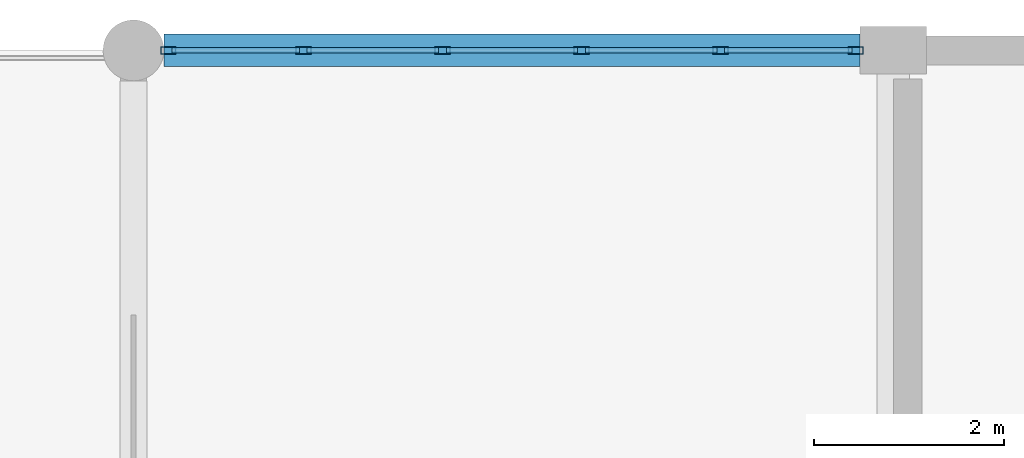
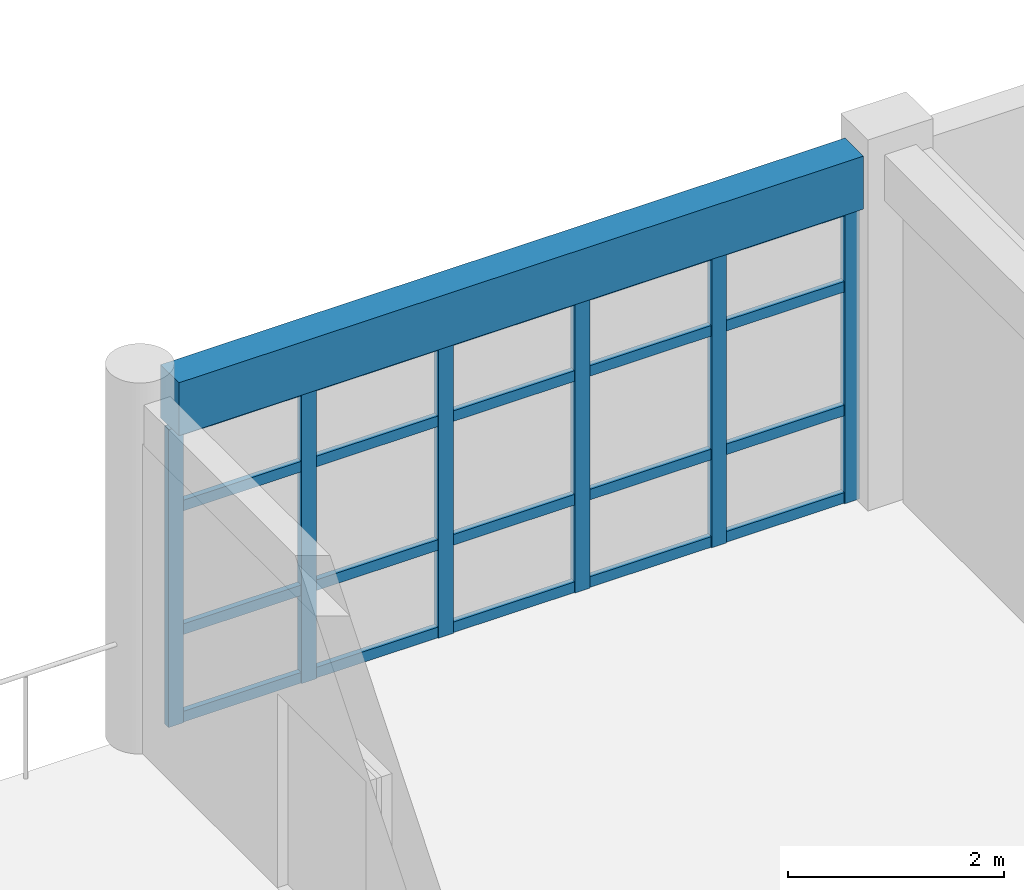
# One storey, part 9 of 53: 26 members, 1 beam, 1 element without a shape of its own.
"""IFC4 building model written with IfcOpenShell, lengths in metres."""

from ifc_helpers import new_model, si_unit, direction, frame, origin, origin_2d, place, context, subcontext, project, spatial, rectangle, hollow_rectangle, extrude, material, material_profile, profile_set, type_object, element, aggregate, save


model = new_model("IFC4")

# Units and contexts
model_context = context("Model", 3, precision=1e-05, world=origin(), true_north=direction((0.0, 1.0)))
body_context = subcontext(model_context, "Body", "Model", "MODEL_VIEW")
ifc_project = project(units=[si_unit("LENGTHUNIT", "METRE"), si_unit("AREAUNIT", "SQUARE_METRE"), si_unit("VOLUMEUNIT", "CUBIC_METRE"), si_unit("PLANEANGLEUNIT", "RADIAN"), si_unit("MASSUNIT", "GRAM", prefix="KILO")], contexts=[model_context])

# Site, building, storey
site_placement = place(None, origin())
site = spatial("IfcSite", under=ifc_project, at=site_placement, CompositionType="ELEMENT")
building_placement = place(site_placement, origin())
building = spatial("IfcBuilding", under=site, at=building_placement, Name="Kharva Crest Polytechnic", CompositionType="ELEMENT")
storey_placement = place(building_placement, frame((0.0, 0.0, 17.39990234375)))
storey = spatial("IfcBuildingStorey", under=building, at=storey_placement, Name="L04", CompositionType="ELEMENT", Elevation=17.39990234375)

# Curtain wall, members
ifc_material_1 = material(Name="Tempered insulated glass", Category="glass")
curtain_wall_type = type_object("IfcCurtainWallType", Name="CW-SYS-STUDIO", PredefinedType="USERDEFINED", material=ifc_material_1)
curtain_wall_placement = place(storey_placement, origin())
curtain_wall = element("IfcCurtainWall", 1, at=curtain_wall_placement, inside=storey, type_object=curtain_wall_type, Name="L04 Glazed Curtain Wall CW-181", ObjectType="CURTAIN WALL", PredefinedType="USERDEFINED")
ifc_material_2 = material(Name="Steel S355", Category="steel")
ifc_material_profile_1 = material_profile(ifc_material_2, hollow_rectangle(XDim=0.080078125, YDim=0.159912109375, WallThickness=0.0048828125, at=origin_2d()), Name="RHS 160X80X5.0")
ifc_profile_set_1 = profile_set([ifc_material_profile_1], Name="Steel S355")
member_type_1 = type_object("IfcMemberType", Name="CWM-RHS160X80", PredefinedType="MULLION", material=ifc_profile_set_1)
member_1_placement = place(storey_placement, frame((55.60498046875, 122.0, 0.0), z_axis=(0.0, 0.0, 1.0), x_axis=(0.0, -1.0, 0.0)))
member_1 = element("IfcMember", 2, at=member_1_placement, type_object=member_type_1, Name="CW-181 mullion 1", PredefinedType="MULLION", context=body_context, shape_type="SweptSolid", body=[
    extrude(hollow_rectangle(XDim=0.080078125, YDim=0.159912109375, WallThickness=0.0048828125, at=origin_2d()), origin(), (0.0, 0.0, 1.0), 3.3701171875),
])
member_2_placement = place(storey_placement, frame((54.180908203125, 122.0, 0.0), z_axis=(0.0, 0.0, 1.0), x_axis=(0.0, -1.0, 0.0)))
member_2 = element("IfcMember", 3, at=member_2_placement, type_object=member_type_1, Name="CW-181 mullion 2", PredefinedType="MULLION", context=body_context, shape_type="SweptSolid", body=[
    extrude(hollow_rectangle(XDim=0.080078125, YDim=0.159912109375, WallThickness=0.0048828125, at=origin_2d()), origin(), (0.0, 0.0, 1.0), 3.3701171875),
])
member_3_placement = place(storey_placement, frame((52.717041015625, 122.0, 0.0), z_axis=(0.0, 0.0, 1.0), x_axis=(0.0, -1.0, 0.0)))
member_3 = element("IfcMember", 4, at=member_3_placement, type_object=member_type_1, Name="CW-181 mullion 3", PredefinedType="MULLION", context=body_context, shape_type="SweptSolid", body=[
    extrude(hollow_rectangle(XDim=0.080078125, YDim=0.159912109375, WallThickness=0.0048828125, at=origin_2d()), origin(), (0.0, 0.0, 1.0), 3.3701171875),
])
member_4_placement = place(storey_placement, frame((51.2529296875, 122.0, 0.0), z_axis=(0.0, 0.0, 1.0), x_axis=(0.0, -1.0, 0.0)))
member_4 = element("IfcMember", 5, at=member_4_placement, type_object=member_type_1, Name="CW-181 mullion 4", PredefinedType="MULLION", context=body_context, shape_type="SweptSolid", body=[
    extrude(hollow_rectangle(XDim=0.080078125, YDim=0.159912109375, WallThickness=0.0048828125, at=origin_2d()), origin(), (0.0, 0.0, 1.0), 3.3701171875),
])
member_5_placement = place(storey_placement, frame((49.7890625, 122.0, 0.0), z_axis=(0.0, 0.0, 1.0), x_axis=(0.0, -1.0, 0.0)))
member_5 = element("IfcMember", 6, at=member_5_placement, type_object=member_type_1, Name="CW-181 mullion 5", PredefinedType="MULLION", context=body_context, shape_type="SweptSolid", body=[
    extrude(hollow_rectangle(XDim=0.080078125, YDim=0.159912109375, WallThickness=0.0048828125, at=origin_2d()), origin(), (0.0, 0.0, 1.0), 3.3701171875),
])
member_6_placement = place(storey_placement, frame((48.364990234375, 122.0, 0.0), z_axis=(0.0, 0.0, 1.0), x_axis=(0.0, -1.0, 0.0)))
member_6 = element("IfcMember", 7, at=member_6_placement, type_object=member_type_1, Name="CW-181 mullion 6", PredefinedType="MULLION", context=body_context, shape_type="SweptSolid", body=[
    extrude(hollow_rectangle(XDim=0.080078125, YDim=0.159912109375, WallThickness=0.0048828125, at=origin_2d()), origin(), (0.0, 0.0, 1.0), 3.3701171875),
])
ifc_material_profile_2 = material_profile(ifc_material_2, hollow_rectangle(XDim=0.06005859375, YDim=0.1201171875, WallThickness=0.00390625, at=origin_2d()), Name="RHS 120X60X4.0")
ifc_profile_set_2 = profile_set([ifc_material_profile_2], Name="Steel S355")
member_type_2 = type_object("IfcMemberType", Name="CWT-RHS120X60", PredefinedType="USERDEFINED", material=ifc_profile_set_2)
member_7_placement = place(storey_placement, frame((55.56494140625, 122.0, 0.06005859375), z_axis=(-1.0, 0.0, 0.0), x_axis=(0.0, -1.0, 0.0)))
member_7 = element("IfcMember", 8, at=member_7_placement, type_object=member_type_2, Name="CW-181 transom 1.1", ObjectType="TRANSOM", PredefinedType="USERDEFINED", context=body_context, shape_type="SweptSolid", body=[
    extrude(hollow_rectangle(XDim=0.06005859375, YDim=0.1201171875, WallThickness=0.00390625, at=origin_2d()), origin(), (0.0, 0.0, 1.0), 1.343994140625),
])
member_8_placement = place(storey_placement, frame((55.56494140625, 122.0, 1.050048828125), z_axis=(-1.0, 0.0, 0.0), x_axis=(0.0, -1.0, 0.0)))
member_8 = element("IfcMember", 9, at=member_8_placement, type_object=member_type_2, Name="CW-181 transom 1.2", ObjectType="TRANSOM", PredefinedType="USERDEFINED", context=body_context, shape_type="SweptSolid", body=[
    extrude(hollow_rectangle(XDim=0.06005859375, YDim=0.1201171875, WallThickness=0.00390625, at=origin_2d()), origin(), (0.0, 0.0, 1.0), 1.343994140625),
])
member_9_placement = place(storey_placement, frame((55.56494140625, 122.0, 2.4501953125), z_axis=(-1.0, 0.0, 0.0), x_axis=(0.0, -1.0, 0.0)))
member_9 = element("IfcMember", 10, at=member_9_placement, type_object=member_type_2, Name="CW-181 transom 1.3", ObjectType="TRANSOM", PredefinedType="USERDEFINED", context=body_context, shape_type="SweptSolid", body=[
    extrude(hollow_rectangle(XDim=0.06005859375, YDim=0.1201171875, WallThickness=0.00390625, at=origin_2d()), origin(), (0.0, 0.0, 1.0), 1.343994140625),
])
member_10_placement = place(storey_placement, frame((55.56494140625, 122.0, 3.31005859375), z_axis=(-1.0, 0.0, 0.0), x_axis=(0.0, -1.0, 0.0)))
member_10 = element("IfcMember", 11, at=member_10_placement, type_object=member_type_2, Name="CW-181 transom 1.4", ObjectType="TRANSOM", PredefinedType="USERDEFINED", context=body_context, shape_type="SweptSolid", body=[
    extrude(hollow_rectangle(XDim=0.06005859375, YDim=0.1201171875, WallThickness=0.00390625, at=origin_2d()), origin(), (0.0, 0.0, 1.0), 1.343994140625),
])
member_11_placement = place(storey_placement, frame((54.14111328125, 122.0, 0.06005859375), z_axis=(-1.0, 0.0, 0.0), x_axis=(0.0, -1.0, 0.0)))
member_11 = element("IfcMember", 12, at=member_11_placement, type_object=member_type_2, Name="CW-181 transom 2.1", ObjectType="TRANSOM", PredefinedType="USERDEFINED", context=body_context, shape_type="SweptSolid", body=[
    extrude(hollow_rectangle(XDim=0.06005859375, YDim=0.1201171875, WallThickness=0.00390625, at=origin_2d()), origin(), (0.0, 0.0, 1.0), 1.384033203125),
])
member_12_placement = place(storey_placement, frame((54.14111328125, 122.0, 1.050048828125), z_axis=(-1.0, 0.0, 0.0), x_axis=(0.0, -1.0, 0.0)))
member_12 = element("IfcMember", 13, at=member_12_placement, type_object=member_type_2, Name="CW-181 transom 2.2", ObjectType="TRANSOM", PredefinedType="USERDEFINED", context=body_context, shape_type="SweptSolid", body=[
    extrude(hollow_rectangle(XDim=0.06005859375, YDim=0.1201171875, WallThickness=0.00390625, at=origin_2d()), origin(), (0.0, 0.0, 1.0), 1.384033203125),
])
member_13_placement = place(storey_placement, frame((54.14111328125, 122.0, 2.4501953125), z_axis=(-1.0, 0.0, 0.0), x_axis=(0.0, -1.0, 0.0)))
member_13 = element("IfcMember", 14, at=member_13_placement, type_object=member_type_2, Name="CW-181 transom 2.3", ObjectType="TRANSOM", PredefinedType="USERDEFINED", context=body_context, shape_type="SweptSolid", body=[
    extrude(hollow_rectangle(XDim=0.06005859375, YDim=0.1201171875, WallThickness=0.00390625, at=origin_2d()), origin(), (0.0, 0.0, 1.0), 1.384033203125),
])
member_14_placement = place(storey_placement, frame((54.14111328125, 122.0, 3.31005859375), z_axis=(-1.0, 0.0, 0.0), x_axis=(0.0, -1.0, 0.0)))
member_14 = element("IfcMember", 15, at=member_14_placement, type_object=member_type_2, Name="CW-181 transom 2.4", ObjectType="TRANSOM", PredefinedType="USERDEFINED", context=body_context, shape_type="SweptSolid", body=[
    extrude(hollow_rectangle(XDim=0.06005859375, YDim=0.1201171875, WallThickness=0.00390625, at=origin_2d()), origin(), (0.0, 0.0, 1.0), 1.384033203125),
])
member_15_placement = place(storey_placement, frame((52.677001953125, 122.0, 0.06005859375), z_axis=(-1.0, 0.0, 0.0), x_axis=(0.0, -1.0, 0.0)))
member_15 = element("IfcMember", 16, at=member_15_placement, type_object=member_type_2, Name="CW-181 transom 3.1", ObjectType="TRANSOM", PredefinedType="USERDEFINED", context=body_context, shape_type="SweptSolid", body=[
    extrude(hollow_rectangle(XDim=0.06005859375, YDim=0.1201171875, WallThickness=0.00390625, at=origin_2d()), origin(), (0.0, 0.0, 1.0), 1.384033203125),
])
member_16_placement = place(storey_placement, frame((52.677001953125, 122.0, 1.050048828125), z_axis=(-1.0, 0.0, 0.0), x_axis=(0.0, -1.0, 0.0)))
member_16 = element("IfcMember", 17, at=member_16_placement, type_object=member_type_2, Name="CW-181 transom 3.2", ObjectType="TRANSOM", PredefinedType="USERDEFINED", context=body_context, shape_type="SweptSolid", body=[
    extrude(hollow_rectangle(XDim=0.06005859375, YDim=0.1201171875, WallThickness=0.00390625, at=origin_2d()), origin(), (0.0, 0.0, 1.0), 1.384033203125),
])
member_17_placement = place(storey_placement, frame((52.677001953125, 122.0, 2.4501953125), z_axis=(-1.0, 0.0, 0.0), x_axis=(0.0, -1.0, 0.0)))
member_17 = element("IfcMember", 18, at=member_17_placement, type_object=member_type_2, Name="CW-181 transom 3.3", ObjectType="TRANSOM", PredefinedType="USERDEFINED", context=body_context, shape_type="SweptSolid", body=[
    extrude(hollow_rectangle(XDim=0.06005859375, YDim=0.1201171875, WallThickness=0.00390625, at=origin_2d()), origin(), (0.0, 0.0, 1.0), 1.384033203125),
])
member_18_placement = place(storey_placement, frame((52.677001953125, 122.0, 3.31005859375), z_axis=(-1.0, 0.0, 0.0), x_axis=(0.0, -1.0, 0.0)))
member_18 = element("IfcMember", 19, at=member_18_placement, type_object=member_type_2, Name="CW-181 transom 3.4", ObjectType="TRANSOM", PredefinedType="USERDEFINED", context=body_context, shape_type="SweptSolid", body=[
    extrude(hollow_rectangle(XDim=0.06005859375, YDim=0.1201171875, WallThickness=0.00390625, at=origin_2d()), origin(), (0.0, 0.0, 1.0), 1.384033203125),
])
member_19_placement = place(storey_placement, frame((51.212890625, 122.0, 0.06005859375), z_axis=(-1.0, 0.0, 0.0), x_axis=(0.0, -1.0, 0.0)))
member_19 = element("IfcMember", 20, at=member_19_placement, type_object=member_type_2, Name="CW-181 transom 4.1", ObjectType="TRANSOM", PredefinedType="USERDEFINED", context=body_context, shape_type="SweptSolid", body=[
    extrude(hollow_rectangle(XDim=0.06005859375, YDim=0.1201171875, WallThickness=0.00390625, at=origin_2d()), origin(), (0.0, 0.0, 1.0), 1.3837890625),
])
member_20_placement = place(storey_placement, frame((51.212890625, 122.0, 1.050048828125), z_axis=(-1.0, 0.0, 0.0), x_axis=(0.0, -1.0, 0.0)))
member_20 = element("IfcMember", 21, at=member_20_placement, type_object=member_type_2, Name="CW-181 transom 4.2", ObjectType="TRANSOM", PredefinedType="USERDEFINED", context=body_context, shape_type="SweptSolid", body=[
    extrude(hollow_rectangle(XDim=0.06005859375, YDim=0.1201171875, WallThickness=0.00390625, at=origin_2d()), origin(), (0.0, 0.0, 1.0), 1.3837890625),
])
member_21_placement = place(storey_placement, frame((51.212890625, 122.0, 2.4501953125), z_axis=(-1.0, 0.0, 0.0), x_axis=(0.0, -1.0, 0.0)))
member_21 = element("IfcMember", 22, at=member_21_placement, type_object=member_type_2, Name="CW-181 transom 4.3", ObjectType="TRANSOM", PredefinedType="USERDEFINED", context=body_context, shape_type="SweptSolid", body=[
    extrude(hollow_rectangle(XDim=0.06005859375, YDim=0.1201171875, WallThickness=0.00390625, at=origin_2d()), origin(), (0.0, 0.0, 1.0), 1.3837890625),
])
member_22_placement = place(storey_placement, frame((51.212890625, 122.0, 3.31005859375), z_axis=(-1.0, 0.0, 0.0), x_axis=(0.0, -1.0, 0.0)))
member_22 = element("IfcMember", 23, at=member_22_placement, type_object=member_type_2, Name="CW-181 transom 4.4", ObjectType="TRANSOM", PredefinedType="USERDEFINED", context=body_context, shape_type="SweptSolid", body=[
    extrude(hollow_rectangle(XDim=0.06005859375, YDim=0.1201171875, WallThickness=0.00390625, at=origin_2d()), origin(), (0.0, 0.0, 1.0), 1.3837890625),
])
member_23_placement = place(storey_placement, frame((49.7490234375, 122.0, 0.06005859375), z_axis=(-1.0, 0.0, 0.0), x_axis=(0.0, -1.0, 0.0)))
member_23 = element("IfcMember", 24, at=member_23_placement, type_object=member_type_2, Name="CW-181 transom 5.1", ObjectType="TRANSOM", PredefinedType="USERDEFINED", context=body_context, shape_type="SweptSolid", body=[
    extrude(hollow_rectangle(XDim=0.06005859375, YDim=0.1201171875, WallThickness=0.00390625, at=origin_2d()), origin(), (0.0, 0.0, 1.0), 1.343994140625),
])
member_24_placement = place(storey_placement, frame((49.7490234375, 122.0, 1.050048828125), z_axis=(-1.0, 0.0, 0.0), x_axis=(0.0, -1.0, 0.0)))
member_24 = element("IfcMember", 25, at=member_24_placement, type_object=member_type_2, Name="CW-181 transom 5.2", ObjectType="TRANSOM", PredefinedType="USERDEFINED", context=body_context, shape_type="SweptSolid", body=[
    extrude(hollow_rectangle(XDim=0.06005859375, YDim=0.1201171875, WallThickness=0.00390625, at=origin_2d()), origin(), (0.0, 0.0, 1.0), 1.343994140625),
])
member_25_placement = place(storey_placement, frame((49.7490234375, 122.0, 2.4501953125), z_axis=(-1.0, 0.0, 0.0), x_axis=(0.0, -1.0, 0.0)))
member_25 = element("IfcMember", 26, at=member_25_placement, type_object=member_type_2, Name="CW-181 transom 5.3", ObjectType="TRANSOM", PredefinedType="USERDEFINED", context=body_context, shape_type="SweptSolid", body=[
    extrude(hollow_rectangle(XDim=0.06005859375, YDim=0.1201171875, WallThickness=0.00390625, at=origin_2d()), origin(), (0.0, 0.0, 1.0), 1.343994140625),
])
member_26_placement = place(storey_placement, frame((49.7490234375, 122.0, 3.31005859375), z_axis=(-1.0, 0.0, 0.0), x_axis=(0.0, -1.0, 0.0)))
member_26 = element("IfcMember", 27, at=member_26_placement, type_object=member_type_2, Name="CW-181 transom 5.4", ObjectType="TRANSOM", PredefinedType="USERDEFINED", context=body_context, shape_type="SweptSolid", body=[
    extrude(hollow_rectangle(XDim=0.06005859375, YDim=0.1201171875, WallThickness=0.00390625, at=origin_2d()), origin(), (0.0, 0.0, 1.0), 1.343994140625),
])
aggregate(curtain_wall, [member_1, member_2, member_3, member_4, member_5, member_6, member_7, member_8, member_9, member_10, member_11, member_12, member_13, member_14, member_15, member_16, member_17, member_18, member_19, member_20, member_21, member_22, member_23, member_24, member_25, member_26])

# Beam
ifc_material_3 = material(Name="Concrete C35/45", Category="concrete")
ifc_material_profile_3 = material_profile(ifc_material_3, rectangle(XDim=0.340087890625, YDim=0.60009765625, at=origin_2d()), Name="RECT 340 X 600")
ifc_profile_set_3 = profile_set([ifc_material_profile_3], Name="Concrete C35/45")
beam_type = type_object("IfcBeamType", Name="SP-RC-340X600", PredefinedType="SPANDREL", material=ifc_profile_set_3)
beam_placement = place(storey_placement, frame((48.320068359375, 122.0, 3.670166015625), z_axis=(1.0, 0.0, 0.0), x_axis=(0.0, 1.0, 0.0)))
element("IfcBeam", 28, at=beam_placement, inside=storey, type_object=beam_type, Name="L04 Beam S/7-8", PredefinedType="SPANDREL", context=body_context, shape_type="SweptSolid", body=[
    extrude(rectangle(XDim=0.340087890625, YDim=0.60009765625, at=origin_2d()), origin(), (0.0, 0.0, 1.0), 7.329833984375),
])

save(model, "model.ifc")
